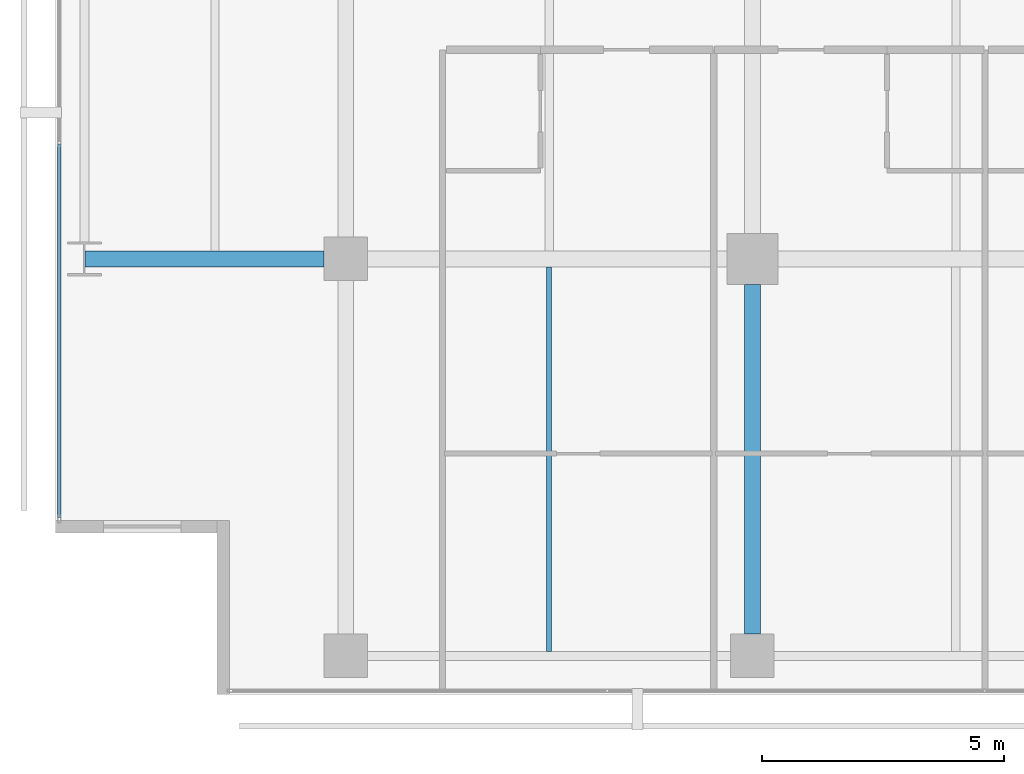
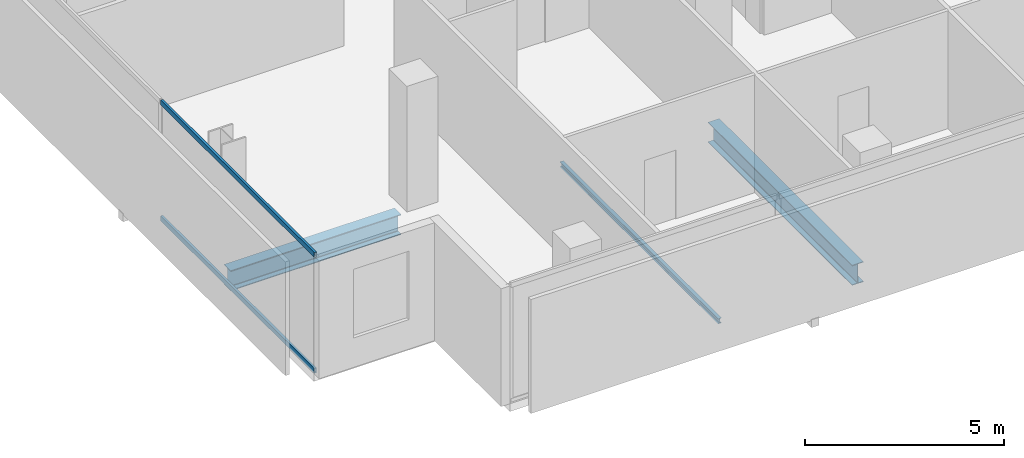
# One storey, part 4 of 41: 3 beams, 2 members, 1 element without a shape of its own.
"""IFC4 building model written with IfcOpenShell, lengths in metres."""

from ifc_helpers import new_model, si_unit, direction, frame, origin, origin_2d, place, context, subcontext, project, spatial, hollow_rectangle, i_section, extrude, material, layer, layer_set, material_profile, profile_set, type_object, element, aggregate, save


model = new_model("IFC4")

# Units and contexts
model_context = context("Model", 3, precision=1e-05, world=origin(), true_north=direction((0.0, 1.0)))
body_context = subcontext(model_context, "Body", "Model", "MODEL_VIEW")
ifc_project = project(units=[si_unit("LENGTHUNIT", "METRE"), si_unit("AREAUNIT", "SQUARE_METRE"), si_unit("VOLUMEUNIT", "CUBIC_METRE"), si_unit("PLANEANGLEUNIT", "RADIAN"), si_unit("MASSUNIT", "GRAM", prefix="KILO")], contexts=[model_context])

# Site, building, storey
site_placement = place(None, origin())
site = spatial("IfcSite", under=ifc_project, at=site_placement, CompositionType="ELEMENT")
building_placement = place(site_placement, origin())
building = spatial("IfcBuilding", under=site, at=building_placement, Name="Maruvema Waterfront Hotel and Observation Tower", CompositionType="ELEMENT")
storey_placement = place(building_placement, frame((0.0, 0.0, 61.60009765625)))
storey = spatial("IfcBuildingStorey", under=building, at=storey_placement, Name="L14", CompositionType="ELEMENT", Elevation=61.60009765625)

# Curtain wall, members
ifc_material_1 = material(Name="Anodised bronze aluminium and solar-control low-E IGU", Category="aluminium")
ifc_layer = layer(ifc_material_1, 0.159912109375, Name="Zone 1 Bronze Inner Thermal Curtain Wall System CW-02")
ifc_layer_set = layer_set([ifc_layer], Name="Anodised bronze aluminium and solar-control low-E IGU")
curtain_wall_type = type_object("IfcCurtainWallType", Name="Zone 1 Bronze Inner Thermal Curtain Wall System CW-02", PredefinedType="USERDEFINED", material=ifc_layer_set)
curtain_wall_placement = place(storey_placement, origin())
curtain_wall = element("IfcCurtainWall", 1, at=curtain_wall_placement, inside=storey, type_object=curtain_wall_type, Name="L14 Curtain Wall CW-L14-W", ObjectType="UNITISED CURTAIN WALL", PredefinedType="USERDEFINED")
ifc_material_2 = material(Name="Anodised architectural bronze aluminium", Category="aluminium")
ifc_material_profile_1 = material_profile(ifc_material_2, hollow_rectangle(XDim=0.070068359375, YDim=0.14990234375, WallThickness=0.00390625, at=origin_2d()), Name="ALU-T70x150")
ifc_profile_set_1 = profile_set([ifc_material_profile_1], Name="Anodised architectural bronze aluminium")
member_type = type_object("IfcMemberType", Name="Curtain Wall Horizontal Transom ALU-T70x150", PredefinedType="USERDEFINED", material=ifc_profile_set_1)
member_1_placement = place(storey_placement, frame((10.8798828125, 11.3701171875, 0.02978515625), z_axis=(0.0, -1.0, 0.0), x_axis=(1.0, 0.0, 0.0)))
member_1 = element("IfcMember", 2, at=member_1_placement, type_object=member_type, Name="CW-02 transom 6.1", ObjectType="TRANSOM", PredefinedType="USERDEFINED", context=body_context, shape_type="SweptSolid", body=[
    extrude(hollow_rectangle(XDim=0.070068359375, YDim=0.14990234375, WallThickness=0.00390625, at=origin_2d()), origin(), (0.0, 0.0, 1.0), 7.710205078125),
])
member_2_placement = place(storey_placement, frame((10.8798828125, 11.3701171875, 3.579833984375), z_axis=(0.0, -1.0, 0.0), x_axis=(1.0, 0.0, 0.0)))
member_2 = element("IfcMember", 3, at=member_2_placement, type_object=member_type, Name="CW-02 transom 6.2", ObjectType="TRANSOM", PredefinedType="USERDEFINED", context=body_context, shape_type="SweptSolid", body=[
    extrude(hollow_rectangle(XDim=0.070068359375, YDim=0.14990234375, WallThickness=0.00390625, at=origin_2d()), origin(), (0.0, 0.0, 1.0), 7.710205078125),
])
aggregate(curtain_wall, [member_1, member_2])

# Beams
ifc_material_3 = material(Name="Steel ASTM A572 Grade 50", Category="steel")
ifc_material_profile_2 = material_profile(ifc_material_3, i_section(OverallWidth=0.326904296875, OverallDepth=0.6220703125, WebThickness=0.015380859375, FlangeThickness=0.0244140625, FilletRadius=0.01806640625, at=origin_2d()), Name="W610x195.0")
ifc_profile_set_2 = profile_set([ifc_material_profile_2], Name="Steel ASTM A572 Grade 50")
beam_type_1 = type_object("IfcBeamType", Name="Primary Floor Girder W610x195.0", PredefinedType="BEAM", material=ifc_profile_set_2)
beam_1_placement = place(storey_placement, frame((11.4140625, 9.0, -0.551025390625), z_axis=(1.0, 0.0, 0.0), x_axis=(0.0, 1.0, 0.0)))
element("IfcBeam", 4, at=beam_1_placement, inside=storey, type_object=beam_type_1, Name="L14 Floor Girder EW-06", PredefinedType="BEAM", context=body_context, shape_type="SweptSolid", body=[
    extrude(i_section(OverallWidth=0.326904296875, OverallDepth=0.6220703125, WebThickness=0.015380859375, FlangeThickness=0.0244140625, FilletRadius=0.01806640625, at=origin_2d()), origin(), (0.0, 0.0, 1.0), 4.93603515625),
])
beam_2_placement = place(storey_placement, frame((25.199951171875, 1.25, -0.551025390625), z_axis=(0.0, 1.0, 0.0), x_axis=(-1.0, 0.0, 0.0)))
element("IfcBeam", 5, at=beam_2_placement, inside=storey, type_object=beam_type_1, Name="L14 Floor Girder NS-11", PredefinedType="BEAM", context=body_context, shape_type="SweptSolid", body=[
    extrude(i_section(OverallWidth=0.326904296875, OverallDepth=0.6220703125, WebThickness=0.015380859375, FlangeThickness=0.0244140625, FilletRadius=0.01806640625, at=origin_2d()), origin(), (0.0, 0.0, 1.0), 7.22509765625),
])
ifc_material_4 = material(Name="Steel ASTM A572 Grade 50", Category="steel")
ifc_material_profile_3 = material_profile(ifc_material_4, i_section(OverallWidth=0.10009765625, OverallDepth=0.153076171875, WebThickness=0.005859375, FlangeThickness=0.007080078125, FilletRadius=0.008056640625, at=origin_2d()), Name="W150x18.0")
ifc_profile_set_3 = profile_set([ifc_material_profile_3], Name="Steel ASTM A572 Grade 50")
beam_type_2 = type_object("IfcBeamType", Name="Secondary Floor Joist W150x18.0", PredefinedType="JOIST", material=ifc_profile_set_3)
beam_3_placement = place(storey_placement, frame((21.0, 0.89501953125, -0.316650390625), z_axis=(0.0, 1.0, 0.0), x_axis=(-1.0, 0.0, 0.0)))
element("IfcBeam", 6, at=beam_3_placement, inside=storey, type_object=beam_type_2, Name="L14 Secondary Floor Joist JS-05", PredefinedType="JOIST", context=body_context, shape_type="SweptSolid", body=[
    extrude(i_section(OverallWidth=0.10009765625, OverallDepth=0.153076171875, WebThickness=0.005859375, FlangeThickness=0.007080078125, FilletRadius=0.008056640625, at=origin_2d()), origin(), (0.0, 0.0, 1.0), 7.94140625),
])

save(model, "model.ifc")
